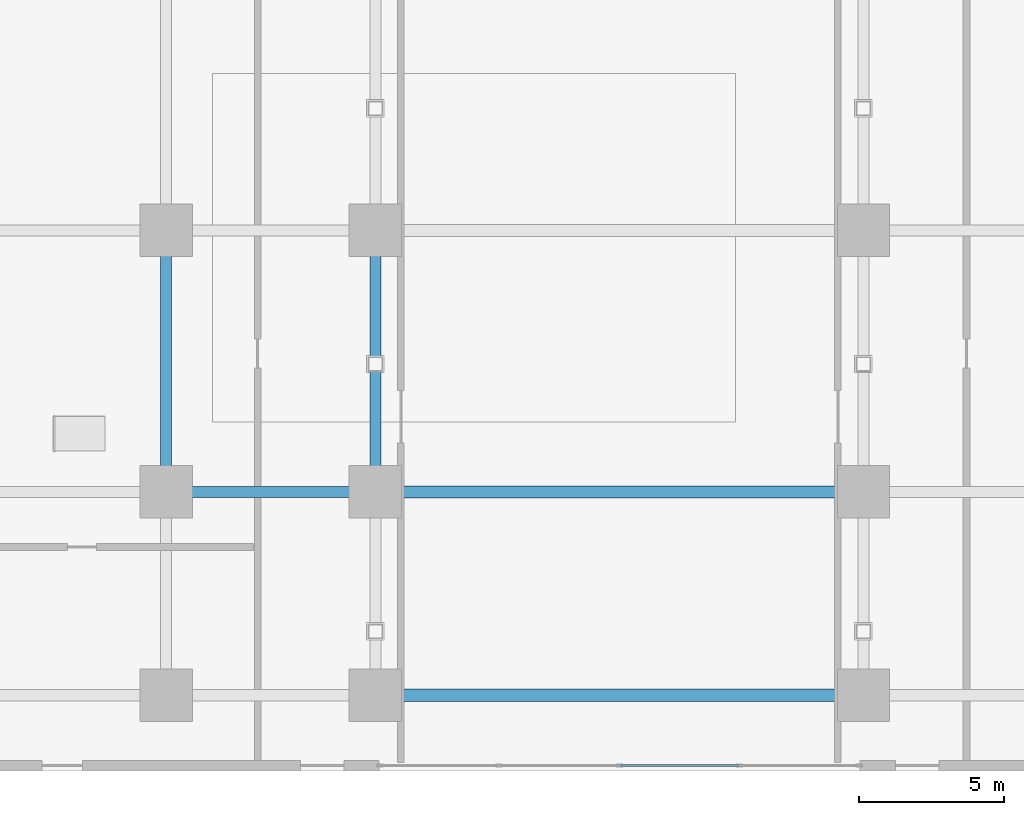
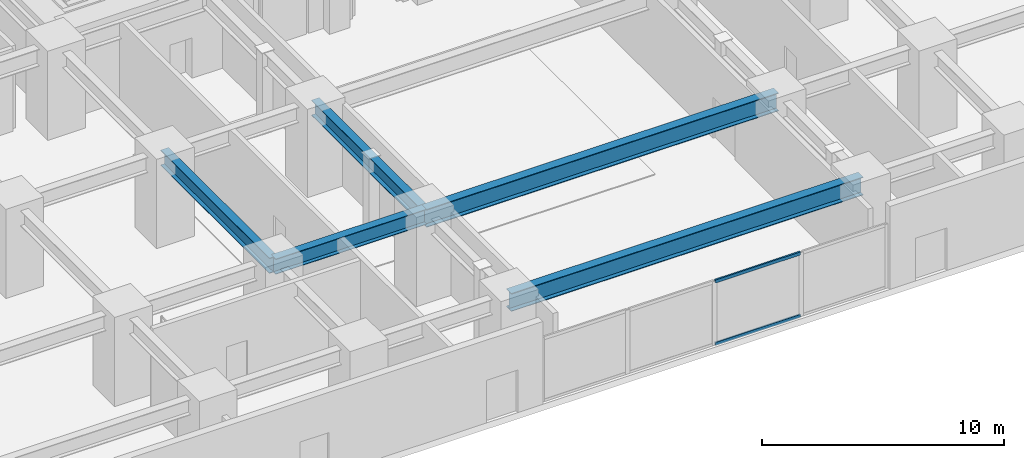
# One storey, part 6 of 26: 5 beams, 2 members, 1 element without a shape of its own.
"""IFC4 building model written with IfcOpenShell, lengths in metres."""

from ifc_helpers import new_model, si_unit, direction, frame, origin, origin_2d, place, context, subcontext, project, spatial, hollow_rectangle, i_section, extrude, material, layer, layer_set, material_profile, profile_set, type_object, element, aggregate, save


model = new_model("IFC4")

# Units and contexts
model_context = context("Model", 3, precision=1e-05, world=origin(), true_north=direction((0.0, 1.0)))
body_context = subcontext(model_context, "Body", "Model", "MODEL_VIEW")
ifc_project = project(units=[si_unit("LENGTHUNIT", "METRE"), si_unit("AREAUNIT", "SQUARE_METRE"), si_unit("VOLUMEUNIT", "CUBIC_METRE"), si_unit("PLANEANGLEUNIT", "RADIAN"), si_unit("MASSUNIT", "GRAM", prefix="KILO")], contexts=[model_context])

# Site, building, storey
site_placement = place(None, origin())
site = spatial("IfcSite", under=ifc_project, at=site_placement, CompositionType="ELEMENT")
building_placement = place(site_placement, origin())
building = spatial("IfcBuilding", under=site, at=building_placement, Name="Kiyonajd Concourse Tower", CompositionType="ELEMENT")
storey_placement = place(building_placement, origin())
storey = spatial("IfcBuildingStorey", under=building, at=storey_placement, Name="L01", CompositionType="ELEMENT", Elevation=0.0)

# Beams
ifc_material_1 = material(Name="Steel ASTM A992 Grade 50", Category="steel")
ifc_material_profile_1 = material_profile(ifc_material_1, i_section(OverallWidth=0.41796875, OverallDepth=0.912109375, WebThickness=0.019287109375, FlangeThickness=0.031982421875, at=origin_2d()), Name="W920X342")
ifc_profile_set_1 = profile_set([ifc_material_profile_1], Name="Steel ASTM A992 Grade 50")
beam_type_1 = type_object("IfcBeamType", Name="BM-CON-920B", PredefinedType="BEAM", material=ifc_profile_set_1)
for number, where, z_axis, x_axis, name in (
    (1, (39.60009765625, 2.60009765625, 3.72412109375), (1.0, 0.0, 0.0), (0.0, 1.0, 0.0), "L01 Concourse Clear Span Girder"),
    (2, (39.60009765625, 9.60009765625, 3.72412109375), (1.0, 0.0, 0.0), (0.0, 1.0, 0.0), "L01 Concourse Clear Span Girder"),
):
    element("IfcBeam", number, at=place(storey_placement, frame(where, z_axis=z_axis, x_axis=x_axis)), inside=storey, type_object=beam_type_1, Name=name, PredefinedType="BEAM", context=body_context, shape_type="SweptSolid", body=[
        extrude(i_section(OverallWidth=0.41796875, OverallDepth=0.912109375, WebThickness=0.019287109375, FlangeThickness=0.031982421875, at=origin_2d()), origin(), (0.0, 0.0, 1.0), 16.7998046875),
    ])
ifc_material_profile_2 = material_profile(ifc_material_1, i_section(OverallWidth=0.381103515625, OverallDepth=0.77294921875, WebThickness=0.0166015625, FlangeThickness=0.027099609375, at=origin_2d()), Name="W760X257")
ifc_profile_set_2 = profile_set([ifc_material_profile_2], Name="Steel ASTM A992 Grade 50")
beam_type_2 = type_object("IfcBeamType", Name="BM-POD-760", PredefinedType="BEAM", material=ifc_profile_set_2)
beam_placement = place(storey_placement, frame((32.39990234375, 9.60009765625, 3.79345703125), z_axis=(1.0, 0.0, 0.0), x_axis=(0.0, 1.0, 0.0)))
element("IfcBeam", 3, at=beam_placement, inside=storey, type_object=beam_type_2, Name="L01 Podium Primary Beam", PredefinedType="BEAM", context=body_context, shape_type="SweptSolid", body=[
    extrude(i_section(OverallWidth=0.381103515625, OverallDepth=0.77294921875, WebThickness=0.0166015625, FlangeThickness=0.027099609375, at=origin_2d()), origin(), (0.0, 0.0, 1.0), 7.2001953125),
])
for number, where, z_axis, x_axis, name in (
    (4, (32.39990234375, 9.60009765625, 3.79345703125), (0.0, 1.0, 0.0), (-1.0, 0.0, 0.0), "L01 Podium North South Beam"),
    (5, (39.60009765625, 9.60009765625, 3.79345703125), (0.0, 1.0, 0.0), (-1.0, 0.0, 0.0), "L01 Podium North South Beam"),
):
    element("IfcBeam", number, at=place(storey_placement, frame(where, z_axis=z_axis, x_axis=x_axis)), inside=storey, type_object=beam_type_2, Name=name, PredefinedType="BEAM", context=body_context, shape_type="SweptSolid", body=[
        extrude(i_section(OverallWidth=0.381103515625, OverallDepth=0.77294921875, WebThickness=0.0166015625, FlangeThickness=0.027099609375, at=origin_2d()), origin(), (0.0, 0.0, 1.0), 9.0),
    ])

# Curtain wall, members
ifc_material_2 = material(Name="Thermally Broken Anodised Aluminium", Category="aluminium")
ifc_layer = layer(ifc_material_2, 0.179931640625)
ifc_layer_set = layer_set([ifc_layer], Name="Thermally Broken Anodised Aluminium")
curtain_wall_type = type_object("IfcCurtainWallType", Name="CW-SYS-01", PredefinedType="NOTDEFINED", material=ifc_layer_set)
curtain_wall_placement = place(storey_placement, origin())
curtain_wall = element("IfcCurtainWall", 6, at=curtain_wall_placement, inside=storey, type_object=curtain_wall_type, Name="L01 Unitised Curtain Wall CW1", PredefinedType="NOTDEFINED")
ifc_material_profile_3 = material_profile(ifc_material_2, hollow_rectangle(XDim=0.074951171875, YDim=0.159912109375, WallThickness=0.0048828125, at=origin_2d()), Name="TRAN-75x160")
ifc_profile_set_3 = profile_set([ifc_material_profile_3], Name="Thermally Broken Anodised Aluminium")
member_type = type_object("IfcMemberType", Name="MB-CW-TRAN2", PredefinedType="USERDEFINED", material=ifc_profile_set_3)
member_1_placement = place(storey_placement, frame((52.1025390625, 0.179931640625, 0.03759765625), z_axis=(-1.0, 0.0, 0.0), x_axis=(0.0, -1.0, 0.0)))
member_1 = element("IfcMember", 7, at=member_1_placement, type_object=member_type, Name="CW1 transom 2.1", ObjectType="TRANSOM", PredefinedType="USERDEFINED", context=body_context, shape_type="SweptSolid", body=[
    extrude(hollow_rectangle(XDim=0.074951171875, YDim=0.159912109375, WallThickness=0.0048828125, at=origin_2d()), origin(), (0.0, 0.0, 1.0), 4.06494140625),
])
member_2_placement = place(storey_placement, frame((52.1025390625, 0.179931640625, 3.1923828125), z_axis=(-1.0, 0.0, 0.0), x_axis=(0.0, -1.0, 0.0)))
member_2 = element("IfcMember", 8, at=member_2_placement, type_object=member_type, Name="CW1 transom 2.2", ObjectType="TRANSOM", PredefinedType="USERDEFINED", context=body_context, shape_type="SweptSolid", body=[
    extrude(hollow_rectangle(XDim=0.074951171875, YDim=0.159912109375, WallThickness=0.0048828125, at=origin_2d()), origin(), (0.0, 0.0, 1.0), 4.06494140625),
])
aggregate(curtain_wall, [member_1, member_2])

save(model, "model.ifc")
